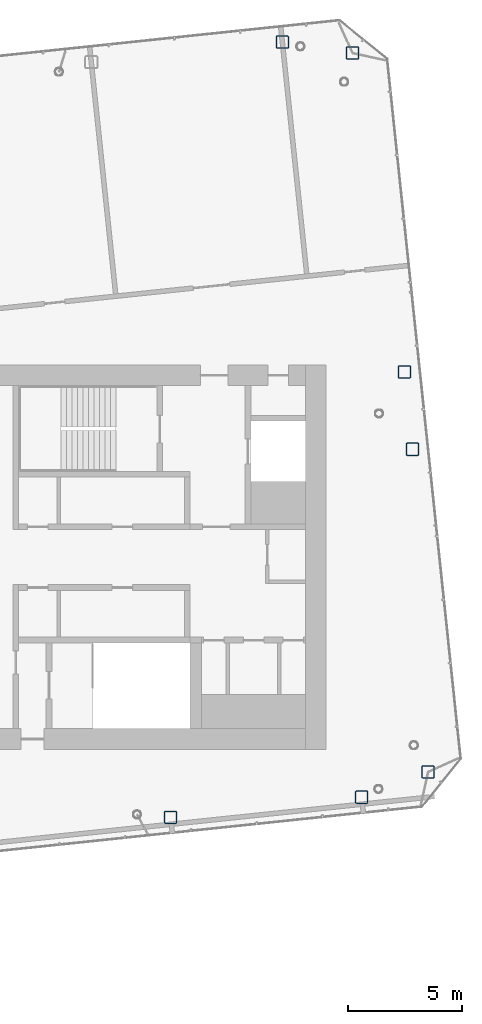
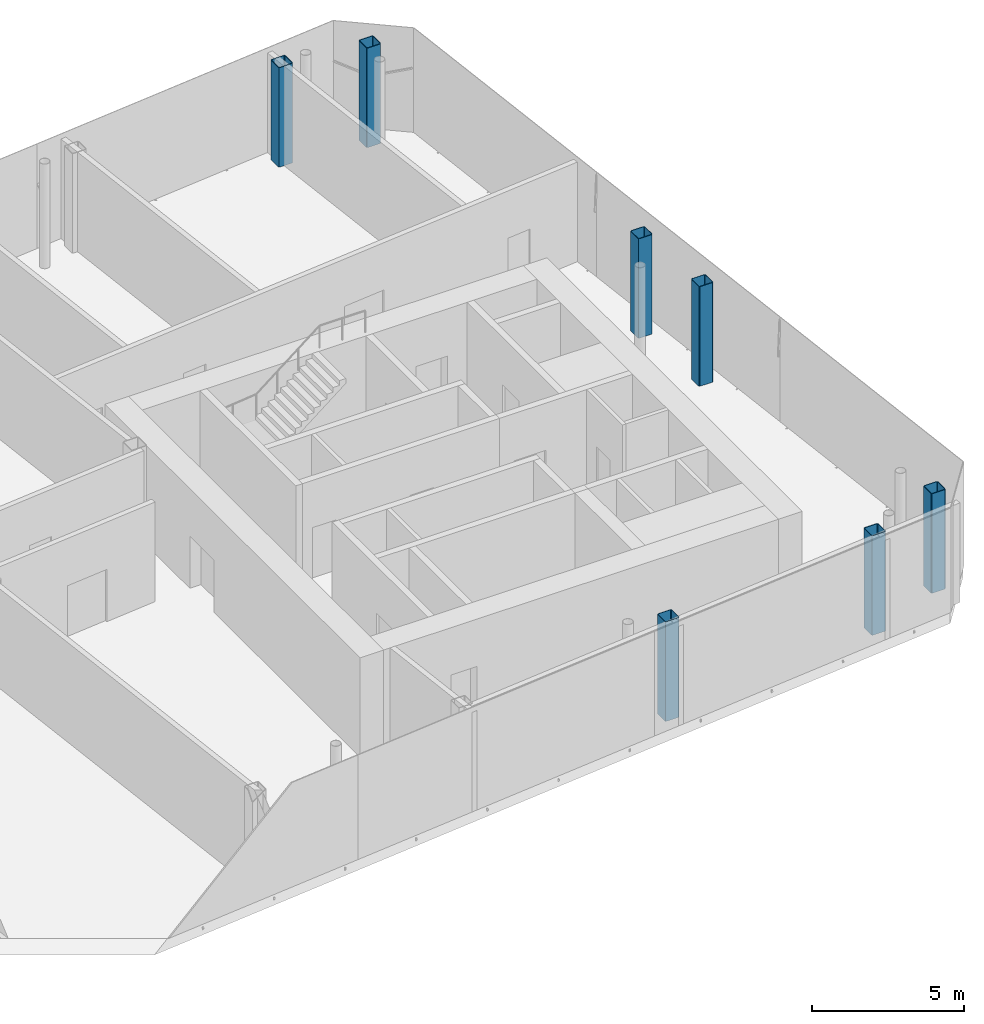
# One storey, part 2 of 28: 7 columns.
"""IFC4 building model written with IfcOpenShell, lengths in metres."""

from ifc_helpers import new_model, si_unit, direction, frame, origin, origin_2d, place, context, subcontext, project, spatial, hollow_rectangle, extrude, material, material_profile, profile_set, type_object, element, save


model = new_model("IFC4")

# Units and contexts
model_context = context("Model", 3, precision=1e-05, world=origin(), true_north=direction((0.0, 1.0)))
body_context = subcontext(model_context, "Body", "Model", "MODEL_VIEW")
ifc_project = project(units=[si_unit("LENGTHUNIT", "METRE"), si_unit("AREAUNIT", "SQUARE_METRE"), si_unit("VOLUMEUNIT", "CUBIC_METRE"), si_unit("PLANEANGLEUNIT", "RADIAN"), si_unit("MASSUNIT", "GRAM", prefix="KILO")], contexts=[model_context])

# Site, building, storey
site_placement = place(None, origin())
site = spatial("IfcSite", under=ifc_project, at=site_placement, CompositionType="ELEMENT")
building_placement = place(site_placement, origin())
building = spatial("IfcBuilding", under=site, at=building_placement, Name="Hakoniwa Tower and Hamabe Station Hall", CompositionType="ELEMENT")
storey_placement = place(building_placement, frame((0.0, 0.0, 280.800048828125)))
storey = spatial("IfcBuildingStorey", under=building, at=storey_placement, Name="L78", CompositionType="ELEMENT", Elevation=280.800048828125)

# Columns
ifc_material = material(Name="Steel BCP325", Category="steel")
ifc_material_profile = material_profile(ifc_material, hollow_rectangle(XDim=0.550048828125, YDim=0.550048828125, WallThickness=0.02197265625, InnerFilletRadius=0.032958984375, OuterFilletRadius=0.054931640625, at=origin_2d()), Name="BCP-550x550x22")
ifc_profile_set = profile_set([ifc_material_profile], Name="Steel BCP325")
column_type = type_object("IfcColumnType", Name="COLUMN BCP-550x550x22", PredefinedType="COLUMN", material=ifc_profile_set)
for number, where, z_axis, x_axis, name in (
    (1, (26.797119140625, -11.375, 0.0), (0.0, 0.0, 1.0), (1.0, 0.0, 0.0), "Column B5-10-A5"),
    (2, (35.151123046875, -10.496826171875, 0.0), (0.0, 0.0, 1.0), (1.0, 0.0, 0.0), "Column B5-11-A5"),
    (3, (31.680908203125, 22.521240234375, 0.0), (0.0, 0.0, 1.0), (1.0, 0.0, 0.0), "Column B5-11-F5"),
    (4, (38.054443359375, -9.390380859375, 0.0), (0.0, 0.0, 1.0), (1.0, 0.0, 0.0), "Column B5-EE-A5"),
    (5, (37.372802734375, 4.71875, 0.0), (0.0, 0.0, 1.0), (1.0, 0.0, 0.0), "Column B5-EE-C5"),
    (6, (37.017333984375, 8.10009765625, 0.0), (0.0, 0.0, 1.0), (1.0, 0.0, 0.0), "Column B5-EE-D5"),
    (7, (34.750732421875, 22.04248046875, 0.0), (0.0, 0.0, 1.0), (1.0, 0.0, 0.0), "Column B5-EE-F5"),
):
    element("IfcColumn", number, at=place(storey_placement, frame(where, z_axis=z_axis, x_axis=x_axis)), inside=storey, type_object=column_type, Name=name, PredefinedType="COLUMN", context=body_context, shape_type="SweptSolid", body=[
        extrude(hollow_rectangle(XDim=0.550048828125, YDim=0.550048828125, WallThickness=0.02197265625, InnerFilletRadius=0.032958984375, OuterFilletRadius=0.054931640625, at=origin_2d()), origin(), (0.0, 0.0, 1.0), 4.0),
    ])

save(model, "model.ifc")
